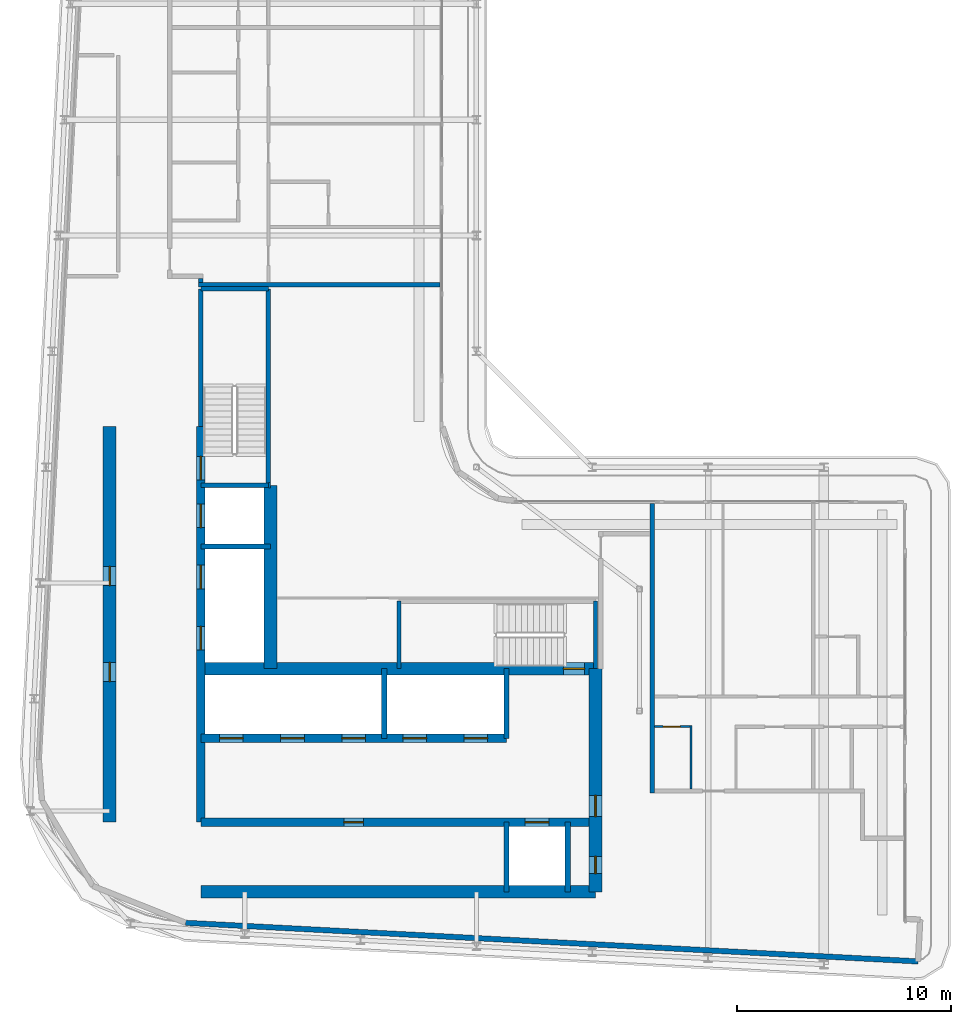
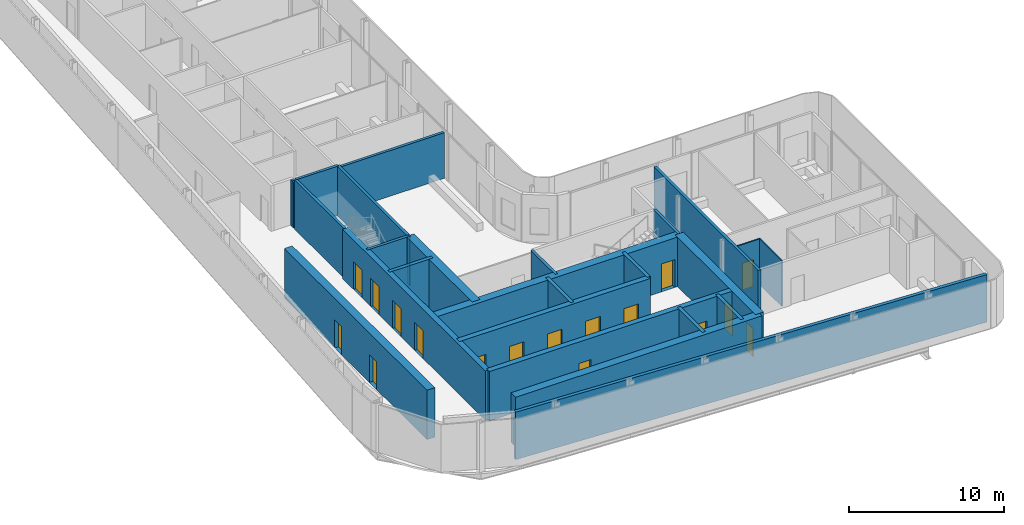
# One storey, part 11 of 21: 26 walls, 17 doors, 17 openings.
"""IFC4 building model written with IfcOpenShell, lengths in metres."""

import ifcopenshell
import ifcopenshell.guid

model = None  # the IFC model being written
_history = None  # IfcOwnerHistory: only IFC2X3 demands one
_inside = {}  # id of a spatial element -> (the spatial element, [elements in it])
_under = {}  # id of a project, library or spatial element -> (it, [spatial elements below it])
_declared = {}  # id of a project -> (the project, [libraries it declares])
_typed = {}  # id of a type object -> (the type object, [elements of that type])
_made_of = {}  # id of a material, layer set ... -> (it, [elements and type objects made of it])


def new_model(schema):
    """Start an empty IFC model of exactly this schema.

    Asked for "IFC4X3", IfcOpenShell would pick the latest addendum, in which some entities
    have other attributes; the version numbers below select the first issue.
    IFC2X3 requires an IfcOwnerHistory on every rooted entity: one is made here for all.
    """
    global model, _history
    if schema == "IFC4X3":
        model = ifcopenshell.file(schema_version=(4, 3, 0, 0))
    else:
        model = ifcopenshell.file(schema=schema)
    _inside.clear()
    _under.clear()
    _declared.clear()
    _typed.clear()
    _made_of.clear()
    _history = None
    if model.schema == "IFC2X3":
        org = make("IfcOrganization", Name="unknown")
        user = make(
            "IfcPersonAndOrganization",
            ThePerson=make("IfcPerson", FamilyName="unknown"),
            TheOrganization=org,
        )
        app = make(
            "IfcApplication",
            ApplicationDeveloper=org,
            Version="unknown",
            ApplicationFullName="unknown",
            ApplicationIdentifier="unknown",
        )
        _history = make(
            "IfcOwnerHistory",
            OwningUser=user,
            OwningApplication=app,
            ChangeAction="ADDED",
            CreationDate=0,
        )
    return model


def make(cls, **values):
    """One entity of the class cls with the attributes given. An attribute that is None is left unset."""
    return model.create_entity(
        cls, **{name: value for name, value in values.items() if value is not None}
    )


def rooted(cls, **values):
    """An entity with a GlobalId (a new one), such as an element, a storey or a relation."""
    return make(cls, GlobalId=ifcopenshell.guid.new(), OwnerHistory=_history, **values)


def si_unit(unit_type, name, prefix=None):
    """IfcSIUnit, for example si_unit("LENGTHUNIT", "METRE", prefix="MILLI")."""
    return make("IfcSIUnit", UnitType=unit_type, Prefix=prefix, Name=name)


def assignment(units):
    """IfcUnitAssignment: the units of a project."""
    return None if units is None else make("IfcUnitAssignment", Units=units)


def point(xyz):
    """IfcCartesianPoint."""
    return None if xyz is None else make("IfcCartesianPoint", Coordinates=xyz)


def direction(xyz):
    """IfcDirection."""
    return None if xyz is None else make("IfcDirection", DirectionRatios=xyz)


def frame(location, z_axis=None, x_axis=None):
    """IfcAxis2Placement3D, a coordinate frame: its origin and axes. An axis left out is left unset."""
    return make(
        "IfcAxis2Placement3D",
        Location=point(location),
        Axis=direction(z_axis),
        RefDirection=direction(x_axis),
    )


def frame_2d(location, x_axis=None):
    """IfcAxis2Placement2D, a coordinate frame in the plane: its origin and x axis."""
    return make(
        "IfcAxis2Placement2D", Location=point(location), RefDirection=direction(x_axis)
    )


def origin():
    """The frame at (0, 0, 0) with its axes left unset."""
    return frame((0.0, 0.0, 0.0))


def place(relative_to, where):
    """IfcLocalPlacement: puts the frame where relative to a parent placement (None: the world)."""
    return make(
        "IfcLocalPlacement", PlacementRelTo=relative_to, RelativePlacement=where
    )


def context(
    kind, dimensions, precision=None, world=None, true_north=None, identifier=None
):
    """IfcGeometricRepresentationContext, for example the 3D "Model" context."""
    return make(
        "IfcGeometricRepresentationContext",
        ContextIdentifier=identifier,
        ContextType=kind,
        CoordinateSpaceDimension=dimensions,
        Precision=precision,
        WorldCoordinateSystem=world,
        TrueNorth=true_north,
    )


def subcontext(parent, identifier, kind, view, scale=None):
    """IfcGeometricRepresentationSubContext, for example "Body" below "Model"."""
    return make(
        "IfcGeometricRepresentationSubContext",
        ContextIdentifier=identifier,
        ContextType=kind,
        ParentContext=parent,
        TargetScale=scale,
        TargetView=view,
    )


def project(units=None, contexts=None):
    """IfcProject with its units and contexts."""
    return rooted(
        "IfcProject",
        Name="project",
        RepresentationContexts=contexts,
        UnitsInContext=assignment(units),
    )


def spatial(cls, under=None, at=None, **own):
    """A site, building, storey or space (cls), placed at a placement, below another one or the project."""
    s = rooted(cls, ObjectPlacement=at, **own)
    if under is not None:
        _under.setdefault(under.id(), (under, []))[1].append(s)
    return s


def profile(cls, at=None, kind="AREA", **sizes):
    """A parametric profile (cls). Its sizes go by their IFC names, for example OverallWidth=200.0."""
    return make(cls, ProfileType=kind, Position=at, **sizes)


def rectangle(**sizes):
    """IfcRectangleProfileDef."""
    return profile("IfcRectangleProfileDef", **sizes)


def extrude(swept, where, along, depth):
    """IfcExtrudedAreaSolid: the profile swept, set in the frame where, extruded along a direction by depth."""
    return make(
        "IfcExtrudedAreaSolid",
        SweptArea=swept,
        Position=where,
        ExtrudedDirection=direction(along),
        Depth=depth,
    )


def shape(context_of_items, identifier, shape_type, items):
    """IfcShapeRepresentation: the items that make up one representation, for example the "Body"."""
    return make(
        "IfcShapeRepresentation",
        ContextOfItems=context_of_items,
        RepresentationIdentifier=identifier,
        RepresentationType=shape_type,
        Items=items,
    )


def source(mapping_origin, context_of_items, identifier, shape_type, items):
    """IfcRepresentationMap: a shape defined once, which mapped items show again and again."""
    return make(
        "IfcRepresentationMap",
        MappingOrigin=mapping_origin,
        MappedRepresentation=shape(context_of_items, identifier, shape_type, items),
    )


def transform(
    local_origin,
    x_axis=None,
    y_axis=None,
    z_axis=None,
    scale=None,
    scale2=None,
    scale3=None,
    uniform=True,
):
    """IfcCartesianTransformationOperator3D, or its non-uniform kind. x_axis, y_axis, z_axis: its Axis1, 2, 3."""
    if uniform:
        return make(
            "IfcCartesianTransformationOperator3D",
            Axis1=direction(x_axis),
            Axis2=direction(y_axis),
            LocalOrigin=point(local_origin),
            Scale=scale,
            Axis3=direction(z_axis),
        )
    return make(
        "IfcCartesianTransformationOperator3DnonUniform",
        Axis1=direction(x_axis),
        Axis2=direction(y_axis),
        LocalOrigin=point(local_origin),
        Scale=scale,
        Axis3=direction(z_axis),
        Scale2=scale2,
        Scale3=scale3,
    )


def mapped(mapping_source, mapping_target):
    """IfcMappedItem: shows the shape of a source again, moved by a transform."""
    return make(
        "IfcMappedItem", MappingSource=mapping_source, MappingTarget=mapping_target
    )


def material(Name=None, Category=None):
    """IfcMaterial."""
    return make("IfcMaterial", Name=Name, Category=Category)


def layer(
    of_material, thickness, ventilated=None, Name=None, Category=None, Priority=None
):
    """IfcMaterialLayer: one layer of a wall or slab, of a material (None: an air gap)."""
    return make(
        "IfcMaterialLayer",
        Material=of_material,
        LayerThickness=thickness,
        IsVentilated=ventilated,
        Name=Name,
        Category=Category,
        Priority=Priority,
    )


def layer_set(layers, Name=None):
    """IfcMaterialLayerSet."""
    return make("IfcMaterialLayerSet", MaterialLayers=layers, LayerSetName=Name)


def made_of(thing, what):
    """Note that an element or type object is made of a material, layer set ...; save() writes the relation."""
    if what is not None:
        _made_of.setdefault(what.id(), (what, []))[1].append(thing)
    return thing


def type_object(cls, material=None, **own):
    """A type object (cls), such as IfcWallType, which elements share."""
    return made_of(rooted(cls, **own), material)


def element(
    cls,
    number,
    at=None,
    inside=None,
    cuts=None,
    type_object=None,
    material=None,
    context=None,
    identifier="Body",
    shape_type=None,
    held_by="IfcProductDefinitionShape",
    body=None,
    shapes=None,
    **own,
):
    """One element of the class cls, such as IfcWall. Its Tag is "e" and its number.

    at: its placement. inside: the storey or other place that contains it. cuts: it is an
    opening in that element (IfcRelVoidsElement). A single representation is given by context,
    identifier, shape_type and body (its items); several are given by shapes. held_by: the class
    of the entity that holds the representations. save() writes the other relations.
    """
    e = rooted(cls, Tag="e%d" % number, ObjectPlacement=at, **own)
    if body is not None:
        shapes = [shape(context, identifier, shape_type, body)]
    if shapes is not None:
        e.Representation = make(held_by, Representations=shapes)
    if inside is not None:
        _inside.setdefault(inside.id(), (inside, []))[1].append(e)
    if cuts is not None:
        rooted(
            "IfcRelVoidsElement", RelatingBuildingElement=cuts, RelatedOpeningElement=e
        )
    if type_object is not None:
        _typed.setdefault(type_object.id(), (type_object, []))[1].append(e)
    return made_of(e, material)


def fill(opening, filler):
    """IfcRelFillsElement: the door or window that sits in an opening."""
    return rooted(
        "IfcRelFillsElement",
        RelatingOpeningElement=opening,
        RelatedBuildingElement=filler,
    )


def aggregate(whole, parts):
    """IfcRelAggregates: a whole, such as a stair, and the parts it consists of."""
    return rooted("IfcRelAggregates", RelatingObject=whole, RelatedObjects=parts)


def save(model, path):
    """Write the relations noted so far, then the file.

    IfcRelAggregates (storeys below a building ...), IfcRelContainedInSpatialStructure (elements
    in a storey), IfcRelDefinesByType, IfcRelAssociatesMaterial and IfcRelDeclares: one each for
    every whole, place, type object, material and project.
    """
    for whole, parts in _under.values():
        aggregate(whole, parts)
    for where, things in _inside.values():
        rooted(
            "IfcRelContainedInSpatialStructure",
            RelatedElements=things,
            RelatingStructure=where,
        )
    for kind, things in _typed.values():
        rooted("IfcRelDefinesByType", RelatedObjects=things, RelatingType=kind)
    for what, things in _made_of.values():
        rooted("IfcRelAssociatesMaterial", RelatedObjects=things, RelatingMaterial=what)
    for by, libraries in _declared.values():
        rooted("IfcRelDeclares", RelatingContext=by, RelatedDefinitions=libraries)
    model.write(path)


model = new_model("IFC4")

# Units and contexts
model_context = context("Model", 3, precision=1e-05, world=origin(), true_north=direction((0.0, 1.0)))
body_context = subcontext(model_context, "Body", "Model", "MODEL_VIEW")
ifc_project = project(units=[si_unit("LENGTHUNIT", "METRE"), si_unit("AREAUNIT", "SQUARE_METRE"), si_unit("VOLUMEUNIT", "CUBIC_METRE"), si_unit("PLANEANGLEUNIT", "RADIAN"), si_unit("MASSUNIT", "GRAM", prefix="KILO")], contexts=[model_context])

# Site, building, storey
site_placement = place(None, origin())
site = spatial("IfcSite", under=ifc_project, at=site_placement, CompositionType="ELEMENT")
building_placement = place(site_placement, origin())
building = spatial("IfcBuilding", under=site, at=building_placement, Name="Kheshtan School and Residences Tower", CompositionType="ELEMENT")
storey_placement = place(building_placement, frame((0.0, 0.0, 298.10009765625)))
storey = spatial("IfcBuildingStorey", under=building, at=storey_placement, Name="L70", CompositionType="ELEMENT", Elevation=298.10009765625)

# Wall, openings, doors
ifc_material_1 = material(Name="Concrete C50/60", Category="concrete")
ifc_layer_1 = layer(ifc_material_1, 0.39990234375)
ifc_layer_set_1 = layer_set([ifc_layer_1], Name="Core wall 400 Concrete C50/60")
wall_type_1 = type_object("IfcWallType", Name="Core wall 400 Concrete C50/60", PredefinedType="SHEAR", material=ifc_layer_set_1)
wall_1_placement = place(storey_placement, frame((34.75, 29.050048828125, 0.0), z_axis=(0.0, 0.0, 1.0), x_axis=(1.0, 0.0, 0.0)))
wall_1 = element("IfcWall", 1, at=wall_1_placement, inside=storey, type_object=wall_type_1, Name="Core wall CW-HALL-S1", PredefinedType="SHEAR", context=body_context, shape_type="SweptSolid", body=[
    extrude(rectangle(XDim=18.39990234375, YDim=0.39990234375, at=frame_2d((9.199951171875, 0.0))), origin(), (0.0, 0.0, 1.0), 3.89990234375),
])
opening_1_placement = place(wall_1_placement, frame((15.125, 0.0, 0.0)))
opening_1 = element("IfcOpeningElement", 2, at=opening_1_placement, cuts=wall_1, Name="Opening LD", PredefinedType="OPENING", context=body_context, shape_type="SweptSolid", body=[
    extrude(rectangle(XDim=1.10009765625, YDim=2.199951171875, at=frame_2d((0.550048828125, 1.10009765625))), frame((0.0, 0.2099609375, 0.0), z_axis=(0.0, -1.0, 0.0), x_axis=(1.0, 0.0, 0.0)), (0.0, 0.0, 1.0), 0.419921875),
])
opening_2_placement = place(wall_1_placement, frame((6.675048828125, 0.0, 0.0)))
opening_2 = element("IfcOpeningElement", 3, at=opening_2_placement, cuts=wall_1, Name="Opening SR90", PredefinedType="OPENING", context=body_context, shape_type="SweptSolid", body=[
    extrude(rectangle(XDim=0.89990234375, YDim=2.199951171875, at=frame_2d((0.449951171875, 1.10009765625))), frame((0.0, 0.2099609375, 0.0), z_axis=(0.0, -1.0, 0.0), x_axis=(1.0, 0.0, 0.0)), (0.0, 0.0, 1.0), 0.419921875),
])
ifc_material_2 = material(Name="Stainless steel door leaves", Category="steel")
door_type_1 = type_object("IfcDoorType", Name="Lift landing door 1100", OperationType="SLIDING_TO_LEFT", PredefinedType="DOOR", material=ifc_material_2)
shared_shape_1 = source(origin(), body_context, "Body", "SweptSolid", [
    extrude(rectangle(XDim=1.10009765625, YDim=2.199951171875, at=frame_2d((0.550048828125, 1.10009765625))), frame((0.0, 0.02490234375, 0.0), z_axis=(0.0, -1.0, 0.0), x_axis=(1.0, 0.0, 0.0)), (0.0, 0.0, 1.0), 0.050048828125),
])
door_1_placement = place(opening_1_placement, origin())
door_1 = element("IfcDoor", 4, at=door_1_placement, inside=storey, type_object=door_type_1, Name="Lift FFL2 landing door", OperationType="SLIDING_TO_LEFT", OverallHeight=2.199951171875, OverallWidth=1.10009765625, PredefinedType="DOOR", context=body_context, shape_type="MappedRepresentation", body=[
    mapped(shared_shape_1, transform((0.0, 0.0, 0.0), x_axis=(1.0, 0.0, 0.0), y_axis=(0.0, 1.0, 0.0), z_axis=(0.0, 0.0, 1.0), scale=1.0)),
])
fill(opening_1, door_1)
ifc_material_3 = material(Name="Steel door leaf, galvanised", Category="steel")
door_type_2 = type_object("IfcDoorType", Name="Service room door 900 steel 90 min", OperationType="SINGLE_SWING_LEFT", PredefinedType="DOOR", material=ifc_material_3)
shared_shape_2 = source(origin(), body_context, "Body", "SweptSolid", [
    extrude(rectangle(XDim=0.89990234375, YDim=2.199951171875, at=frame_2d((0.449951171875, 1.10009765625))), frame((0.0, 0.02490234375, 0.0), z_axis=(0.0, -1.0, 0.0), x_axis=(1.0, 0.0, 0.0)), (0.0, 0.0, 1.0), 0.050048828125),
])
door_2_placement = place(opening_2_placement, origin())
door_2 = element("IfcDoor", 5, at=door_2_placement, inside=storey, type_object=door_type_2, Name="Service room door", OperationType="SINGLE_SWING_RIGHT", OverallHeight=2.199951171875, OverallWidth=0.89990234375, PredefinedType="DOOR", context=body_context, shape_type="MappedRepresentation", body=[
    mapped(shared_shape_2, transform((0.0, 0.0, 0.0), x_axis=(1.0, 0.0, 0.0), y_axis=(0.0, 1.0, 0.0), z_axis=(0.0, 0.0, 1.0), scale=1.0)),
])
fill(opening_2, door_2)

wall_2_placement = place(storey_placement, frame((34.75, 32.949951171875, 0.0), z_axis=(0.0, 0.0, 1.0), x_axis=(1.0, 0.0, 0.0)))
wall_2 = element("IfcWall", 6, at=wall_2_placement, inside=storey, type_object=wall_type_1, Name="Core wall CW-HALL-S2", PredefinedType="SHEAR", context=body_context, shape_type="SweptSolid", body=[
    extrude(rectangle(XDim=14.25, YDim=0.39990234375, at=frame_2d((7.125, 0.0))), origin(), (0.0, 0.0, 1.0), 3.89990234375),
])
opening_3_placement = place(wall_2_placement, frame((0.875, 0.0, 0.0)))
opening_3 = element("IfcOpeningElement", 7, at=opening_3_placement, cuts=wall_2, Name="Opening LD", PredefinedType="OPENING", context=body_context, shape_type="SweptSolid", body=[
    extrude(rectangle(XDim=1.10009765625, YDim=2.199951171875, at=frame_2d((0.550048828125, 1.10009765625))), frame((0.0, 0.2099609375, 0.0), z_axis=(0.0, -1.0, 0.0), x_axis=(1.0, 0.0, 0.0)), (0.0, 0.0, 1.0), 0.419921875),
])
opening_4_placement = place(wall_2_placement, frame((3.72509765625, 0.0, 0.0)))
opening_4 = element("IfcOpeningElement", 8, at=opening_4_placement, cuts=wall_2, Name="Opening LD", PredefinedType="OPENING", context=body_context, shape_type="SweptSolid", body=[
    extrude(rectangle(XDim=1.10009765625, YDim=2.199951171875, at=frame_2d((0.550048828125, 1.10009765625))), frame((0.0, 0.2099609375, 0.0), z_axis=(0.0, -1.0, 0.0), x_axis=(1.0, 0.0, 0.0)), (0.0, 0.0, 1.0), 0.419921875),
])
opening_5_placement = place(wall_2_placement, frame((6.574951171875, 0.0, 0.0)))
opening_5 = element("IfcOpeningElement", 9, at=opening_5_placement, cuts=wall_2, Name="Opening LD", PredefinedType="OPENING", context=body_context, shape_type="SweptSolid", body=[
    extrude(rectangle(XDim=1.10009765625, YDim=2.199951171875, at=frame_2d((0.550048828125, 1.10009765625))), frame((0.0, 0.2099609375, 0.0), z_axis=(0.0, -1.0, 0.0), x_axis=(1.0, 0.0, 0.0)), (0.0, 0.0, 1.0), 0.419921875),
])
opening_6_placement = place(wall_2_placement, frame((9.425048828125, 0.0, 0.0)))
opening_6 = element("IfcOpeningElement", 10, at=opening_6_placement, cuts=wall_2, Name="Opening LD", PredefinedType="OPENING", context=body_context, shape_type="SweptSolid", body=[
    extrude(rectangle(XDim=1.10009765625, YDim=2.199951171875, at=frame_2d((0.550048828125, 1.10009765625))), frame((0.0, 0.2099609375, 0.0), z_axis=(0.0, -1.0, 0.0), x_axis=(1.0, 0.0, 0.0)), (0.0, 0.0, 1.0), 0.419921875),
])
opening_7_placement = place(wall_2_placement, frame((12.27490234375, 0.0, 0.0)))
opening_7 = element("IfcOpeningElement", 11, at=opening_7_placement, cuts=wall_2, Name="Opening LD", PredefinedType="OPENING", context=body_context, shape_type="SweptSolid", body=[
    extrude(rectangle(XDim=1.10009765625, YDim=2.199951171875, at=frame_2d((0.550048828125, 1.10009765625))), frame((0.0, 0.2099609375, 0.0), z_axis=(0.0, -1.0, 0.0), x_axis=(1.0, 0.0, 0.0)), (0.0, 0.0, 1.0), 0.419921875),
])
door_3_placement = place(opening_3_placement, origin())
door_3 = element("IfcDoor", 12, at=door_3_placement, inside=storey, type_object=door_type_1, Name="Lift P12 landing door", OperationType="SLIDING_TO_LEFT", OverallHeight=2.199951171875, OverallWidth=1.10009765625, PredefinedType="DOOR", context=body_context, shape_type="MappedRepresentation", body=[
    mapped(shared_shape_1, transform((0.0, 0.0, 0.0), x_axis=(1.0, 0.0, 0.0), y_axis=(0.0, 1.0, 0.0), z_axis=(0.0, 0.0, 1.0), scale=1.0)),
])
fill(opening_3, door_3)
door_4_placement = place(opening_4_placement, origin())
door_4 = element("IfcDoor", 13, at=door_4_placement, inside=storey, type_object=door_type_1, Name="Lift P13 landing door", OperationType="SLIDING_TO_LEFT", OverallHeight=2.199951171875, OverallWidth=1.10009765625, PredefinedType="DOOR", context=body_context, shape_type="MappedRepresentation", body=[
    mapped(shared_shape_1, transform((0.0, 0.0, 0.0), x_axis=(1.0, 0.0, 0.0), y_axis=(0.0, 1.0, 0.0), z_axis=(0.0, 0.0, 1.0), scale=1.0)),
])
fill(opening_4, door_4)
door_5_placement = place(opening_5_placement, origin())
door_5 = element("IfcDoor", 14, at=door_5_placement, inside=storey, type_object=door_type_1, Name="Lift P14 landing door", OperationType="SLIDING_TO_LEFT", OverallHeight=2.199951171875, OverallWidth=1.10009765625, PredefinedType="DOOR", context=body_context, shape_type="MappedRepresentation", body=[
    mapped(shared_shape_1, transform((0.0, 0.0, 0.0), x_axis=(1.0, 0.0, 0.0), y_axis=(0.0, 1.0, 0.0), z_axis=(0.0, 0.0, 1.0), scale=1.0)),
])
fill(opening_5, door_5)
door_6_placement = place(opening_6_placement, origin())
door_6 = element("IfcDoor", 15, at=door_6_placement, inside=storey, type_object=door_type_1, Name="Lift P15 landing door", OperationType="SLIDING_TO_LEFT", OverallHeight=2.199951171875, OverallWidth=1.10009765625, PredefinedType="DOOR", context=body_context, shape_type="MappedRepresentation", body=[
    mapped(shared_shape_1, transform((0.0, 0.0, 0.0), x_axis=(1.0, 0.0, 0.0), y_axis=(0.0, 1.0, 0.0), z_axis=(0.0, 0.0, 1.0), scale=1.0)),
])
fill(opening_6, door_6)
door_7_placement = place(opening_7_placement, origin())
door_7 = element("IfcDoor", 16, at=door_7_placement, inside=storey, type_object=door_type_1, Name="Lift P16 landing door", OperationType="SLIDING_TO_LEFT", OverallHeight=2.199951171875, OverallWidth=1.10009765625, PredefinedType="DOOR", context=body_context, shape_type="MappedRepresentation", body=[
    mapped(shared_shape_1, transform((0.0, 0.0, 0.0), x_axis=(1.0, 0.0, 0.0), y_axis=(0.0, 1.0, 0.0), z_axis=(0.0, 0.0, 1.0), scale=1.0)),
])
fill(opening_7, door_7)

wall_3_placement = place(storey_placement, frame((34.75, 29.050048828125, 0.0), z_axis=(0.0, 0.0, 1.0), x_axis=(0.0, 1.0, 0.0)))
wall_3 = element("IfcWall", 17, at=wall_3_placement, inside=storey, type_object=wall_type_1, Name="Core wall CW-HALL-W1", PredefinedType="SHEAR", context=body_context, shape_type="SweptSolid", body=[
    extrude(rectangle(XDim=18.449951171875, YDim=0.39990234375, at=frame_2d((9.22509765625, 0.0))), origin(), (0.0, 0.0, 1.0), 3.89990234375),
])
opening_8_placement = place(wall_3_placement, frame((8.02490234375, 0.0, 0.0)))
opening_8 = element("IfcOpeningElement", 18, at=opening_8_placement, cuts=wall_3, Name="Opening LD", PredefinedType="OPENING", context=body_context, shape_type="SweptSolid", body=[
    extrude(rectangle(XDim=1.10009765625, YDim=2.199951171875, at=frame_2d((0.550048828125, 1.10009765625))), frame((0.0, 0.2099609375, 0.0), z_axis=(0.0, -1.0, 0.0), x_axis=(1.0, 0.0, 0.0)), (0.0, 0.0, 1.0), 0.419921875),
])
opening_9_placement = place(wall_3_placement, frame((10.875, 0.0, 0.0)))
opening_9 = element("IfcOpeningElement", 19, at=opening_9_placement, cuts=wall_3, Name="Opening LD", PredefinedType="OPENING", context=body_context, shape_type="SweptSolid", body=[
    extrude(rectangle(XDim=1.10009765625, YDim=2.199951171875, at=frame_2d((0.550048828125, 1.10009765625))), frame((0.0, 0.2099609375, 0.0), z_axis=(0.0, -1.0, 0.0), x_axis=(1.0, 0.0, 0.0)), (0.0, 0.0, 1.0), 0.419921875),
])
opening_10_placement = place(wall_3_placement, frame((13.72509765625, 0.0, 0.0)))
opening_10 = element("IfcOpeningElement", 20, at=opening_10_placement, cuts=wall_3, Name="Opening LD", PredefinedType="OPENING", context=body_context, shape_type="SweptSolid", body=[
    extrude(rectangle(XDim=1.10009765625, YDim=2.199951171875, at=frame_2d((0.550048828125, 1.10009765625))), frame((0.0, 0.2099609375, 0.0), z_axis=(0.0, -1.0, 0.0), x_axis=(1.0, 0.0, 0.0)), (0.0, 0.0, 1.0), 0.419921875),
])
opening_11_placement = place(wall_3_placement, frame((15.949951171875, 0.0, 0.0)))
opening_11 = element("IfcOpeningElement", 21, at=opening_11_placement, cuts=wall_3, Name="Opening ST2D", PredefinedType="OPENING", context=body_context, shape_type="SweptSolid", body=[
    extrude(rectangle(XDim=1.10009765625, YDim=2.199951171875, at=frame_2d((0.550048828125, 1.10009765625))), frame((0.0, 0.2099609375, 0.0), z_axis=(0.0, -1.0, 0.0), x_axis=(1.0, 0.0, 0.0)), (0.0, 0.0, 1.0), 0.419921875),
])
door_8_placement = place(opening_8_placement, origin())
door_8 = element("IfcDoor", 22, at=door_8_placement, inside=storey, type_object=door_type_1, Name="Lift SV1 landing door", OperationType="SLIDING_TO_LEFT", OverallHeight=2.199951171875, OverallWidth=1.10009765625, PredefinedType="DOOR", context=body_context, shape_type="MappedRepresentation", body=[
    mapped(shared_shape_1, transform((0.0, 0.0, 0.0), x_axis=(1.0, 0.0, 0.0), y_axis=(0.0, 1.0, 0.0), z_axis=(0.0, 0.0, 1.0), scale=1.0)),
])
fill(opening_8, door_8)
door_9_placement = place(opening_9_placement, origin())
door_9 = element("IfcDoor", 23, at=door_9_placement, inside=storey, type_object=door_type_1, Name="Lift SV2 landing door", OperationType="SLIDING_TO_LEFT", OverallHeight=2.199951171875, OverallWidth=1.10009765625, PredefinedType="DOOR", context=body_context, shape_type="MappedRepresentation", body=[
    mapped(shared_shape_1, transform((0.0, 0.0, 0.0), x_axis=(1.0, 0.0, 0.0), y_axis=(0.0, 1.0, 0.0), z_axis=(0.0, 0.0, 1.0), scale=1.0)),
])
fill(opening_9, door_9)
door_10_placement = place(opening_10_placement, origin())
door_10 = element("IfcDoor", 24, at=door_10_placement, inside=storey, type_object=door_type_1, Name="Lift FFL1 landing door", OperationType="SLIDING_TO_LEFT", OverallHeight=2.199951171875, OverallWidth=1.10009765625, PredefinedType="DOOR", context=body_context, shape_type="MappedRepresentation", body=[
    mapped(shared_shape_1, transform((0.0, 0.0, 0.0), x_axis=(1.0, 0.0, 0.0), y_axis=(0.0, 1.0, 0.0), z_axis=(0.0, 0.0, 1.0), scale=1.0)),
])
fill(opening_10, door_10)
door_type_3 = type_object("IfcDoorType", Name="Stair door 1100 steel 90 min", OperationType="SINGLE_SWING_LEFT", PredefinedType="DOOR", material=ifc_material_3)
shared_shape_3 = source(origin(), body_context, "Body", "SweptSolid", [
    extrude(rectangle(XDim=1.10009765625, YDim=2.199951171875, at=frame_2d((0.550048828125, 1.10009765625))), frame((0.0, 0.02490234375, 0.0), z_axis=(0.0, -1.0, 0.0), x_axis=(1.0, 0.0, 0.0)), (0.0, 0.0, 1.0), 0.050048828125),
])
door_11_placement = place(opening_11_placement, origin())
door_11 = element("IfcDoor", 25, at=door_11_placement, inside=storey, type_object=door_type_3, Name="Stair ST2 door", OperationType="SINGLE_SWING_RIGHT", OverallHeight=2.199951171875, OverallWidth=1.10009765625, PredefinedType="DOOR", context=body_context, shape_type="MappedRepresentation", body=[
    mapped(shared_shape_3, transform((0.0, 0.0, 0.0), x_axis=(1.0, 0.0, 0.0), y_axis=(0.0, 1.0, 0.0), z_axis=(0.0, 0.0, 1.0), scale=1.0)),
])
fill(opening_11, door_11)

# Wall
ifc_material_4 = material(Name="Concrete C60/75", Category="concrete")
ifc_layer_2 = layer(ifc_material_4, 0.60009765625)
ifc_layer_set_2 = layer_set([ifc_layer_2], Name="Core wall 600 Concrete C60/75")
wall_type_2 = type_object("IfcWallType", Name="Core wall 600 Concrete C60/75", PredefinedType="SHEAR", material=ifc_layer_set_2)
wall_4_placement = place(storey_placement, frame((34.75, 25.800048828125, 0.0), z_axis=(0.0, 0.0, 1.0), x_axis=(1.0, 0.0, 0.0)))
element("IfcWall", 26, at=wall_4_placement, inside=storey, type_object=wall_type_2, Name="Core wall CW-REAR-S", PredefinedType="SHEAR", context=body_context, shape_type="SweptSolid", body=[
    extrude(rectangle(XDim=18.39990234375, YDim=0.60009765625, at=frame_2d((9.199951171875, 0.0))), origin(), (0.0, 0.0, 1.0), 3.89990234375),
])

# Wall, opening, door
wall_5_placement = place(storey_placement, frame((34.75, 36.199951171875, 0.0), z_axis=(0.0, 0.0, 1.0), x_axis=(1.0, 0.0, 0.0)))
wall_5 = element("IfcWall", 27, at=wall_5_placement, inside=storey, type_object=wall_type_2, Name="Core wall CW-FRONT-S", PredefinedType="SHEAR", context=body_context, shape_type="SweptSolid", body=[
    extrude(rectangle(XDim=18.39990234375, YDim=0.60009765625, at=frame_2d((9.199951171875, 0.0))), origin(), (0.0, 0.0, 1.0), 3.89990234375),
])
opening_12_placement = place(wall_5_placement, frame((16.89990234375, 0.0, 0.0)))
opening_12 = element("IfcOpeningElement", 28, at=opening_12_placement, cuts=wall_5, Name="Opening ST1D", PredefinedType="OPENING", context=body_context, shape_type="SweptSolid", body=[
    extrude(rectangle(XDim=1.0, YDim=2.199951171875, at=frame_2d((0.5, 1.10009765625))), frame((0.0, 0.31005859375, 0.0), z_axis=(0.0, -1.0, 0.0), x_axis=(1.0, 0.0, 0.0)), (0.0, 0.0, 1.0), 0.6201171875),
])
shared_shape_4 = source(origin(), body_context, "Body", "SweptSolid", [
    extrude(rectangle(XDim=1.0, YDim=2.199951171875, at=frame_2d((0.5, 1.10009765625))), frame((0.0, 0.02490234375, 0.0), z_axis=(0.0, -1.0, 0.0), x_axis=(1.0, 0.0, 0.0)), (0.0, 0.0, 1.0), 0.050048828125),
])
door_12_placement = place(opening_12_placement, origin())
door_12 = element("IfcDoor", 29, at=door_12_placement, inside=storey, type_object=door_type_3, Name="Stair ST1 door", OperationType="SINGLE_SWING_RIGHT", OverallHeight=2.199951171875, OverallWidth=1.0, PredefinedType="DOOR", context=body_context, shape_type="MappedRepresentation", body=[
    mapped(shared_shape_4, transform((0.0, 0.0, 0.0), x_axis=(1.0, 0.0, 0.0), y_axis=(0.0, 1.0, 0.0), z_axis=(0.0, 0.0, 1.0), scale=1.0)),
])
fill(opening_12, door_12)

# Wall
wall_6_placement = place(storey_placement, frame((38.0, 36.199951171875, 0.0), z_axis=(0.0, 0.0, 1.0), x_axis=(0.0, 1.0, 0.0)))
element("IfcWall", 30, at=wall_6_placement, inside=storey, type_object=wall_type_2, Name="Core wall CW-FRONT-W", PredefinedType="SHEAR", context=body_context, shape_type="SweptSolid", body=[
    extrude(rectangle(XDim=8.550048828125, YDim=0.60009765625, at=frame_2d((4.27490234375, 0.0))), origin(), (0.0, 0.0, 1.0), 3.89990234375),
])

# Wall, openings, doors
wall_7_placement = place(storey_placement, frame((30.5, 29.050048828125, 0.0), z_axis=(0.0, 0.0, 1.0), x_axis=(0.0, 1.0, 0.0)))
wall_7 = element("IfcWall", 31, at=wall_7_placement, inside=storey, type_object=wall_type_2, Name="Core wall CW-REAR-W", PredefinedType="SHEAR", context=body_context, shape_type="SweptSolid", body=[
    extrude(rectangle(XDim=18.449951171875, YDim=0.60009765625, at=frame_2d((9.22509765625, 0.0))), origin(), (0.0, 0.0, 1.0), 3.89990234375),
])
opening_13_placement = place(wall_7_placement, frame((6.550048828125, 0.0, 0.0)))
opening_13 = element("IfcOpeningElement", 32, at=opening_13_placement, cuts=wall_7, Name="Opening SR90", PredefinedType="OPENING", context=body_context, shape_type="SweptSolid", body=[
    extrude(rectangle(XDim=0.89990234375, YDim=2.199951171875, at=frame_2d((0.449951171875, 1.10009765625))), frame((0.0, 0.31005859375, 0.0), z_axis=(0.0, -1.0, 0.0), x_axis=(1.0, 0.0, 0.0)), (0.0, 0.0, 1.0), 0.6201171875),
])
opening_14_placement = place(wall_7_placement, frame((11.02490234375, 0.0, 0.0)))
opening_14 = element("IfcOpeningElement", 33, at=opening_14_placement, cuts=wall_7, Name="Opening SR90", PredefinedType="OPENING", context=body_context, shape_type="SweptSolid", body=[
    extrude(rectangle(XDim=0.89990234375, YDim=2.199951171875, at=frame_2d((0.449951171875, 1.10009765625))), frame((0.0, 0.31005859375, 0.0), z_axis=(0.0, -1.0, 0.0), x_axis=(1.0, 0.0, 0.0)), (0.0, 0.0, 1.0), 0.6201171875),
])
door_13_placement = place(opening_13_placement, origin())
door_13 = element("IfcDoor", 34, at=door_13_placement, inside=storey, type_object=door_type_2, Name="Service room door", OperationType="SINGLE_SWING_RIGHT", OverallHeight=2.199951171875, OverallWidth=0.89990234375, PredefinedType="DOOR", context=body_context, shape_type="MappedRepresentation", body=[
    mapped(shared_shape_2, transform((0.0, 0.0, 0.0), x_axis=(1.0, 0.0, 0.0), y_axis=(0.0, 1.0, 0.0), z_axis=(0.0, 0.0, 1.0), scale=1.0)),
])
fill(opening_13, door_13)
door_14_placement = place(opening_14_placement, origin())
door_14 = element("IfcDoor", 35, at=door_14_placement, inside=storey, type_object=door_type_2, Name="Service room door", OperationType="SINGLE_SWING_RIGHT", OverallHeight=2.199951171875, OverallWidth=0.89990234375, PredefinedType="DOOR", context=body_context, shape_type="MappedRepresentation", body=[
    mapped(shared_shape_2, transform((0.0, 0.0, 0.0), x_axis=(1.0, 0.0, 0.0), y_axis=(0.0, 1.0, 0.0), z_axis=(0.0, 0.0, 1.0), scale=1.0)),
])
fill(opening_14, door_14)

wall_8_placement = place(storey_placement, frame((53.14990234375, 25.800048828125, 0.0), z_axis=(0.0, 0.0, 1.0), x_axis=(0.0, 1.0, 0.0)))
wall_8 = element("IfcWall", 36, at=wall_8_placement, inside=storey, type_object=wall_type_2, Name="Core wall CW-EAST", PredefinedType="SHEAR", context=body_context, shape_type="SweptSolid", body=[
    extrude(rectangle(XDim=10.39990234375, YDim=0.60009765625, at=frame_2d((5.199951171875, 0.0))), origin(), (0.0, 0.0, 1.0), 3.89990234375),
])
opening_15_placement = place(wall_8_placement, frame((0.85009765625, 0.0, 0.0)))
opening_15 = element("IfcOpeningElement", 37, at=opening_15_placement, cuts=wall_8, Name="Opening SR80", PredefinedType="OPENING", context=body_context, shape_type="SweptSolid", body=[
    extrude(rectangle(XDim=0.800048828125, YDim=2.199951171875, at=frame_2d((0.39990234375, 1.10009765625))), frame((0.0, 0.31005859375, 0.0), z_axis=(0.0, -1.0, 0.0), x_axis=(1.0, 0.0, 0.0)), (0.0, 0.0, 1.0), 0.6201171875),
])
opening_16_placement = place(wall_8_placement, frame((3.5, 0.0, 0.0)))
opening_16 = element("IfcOpeningElement", 38, at=opening_16_placement, cuts=wall_8, Name="Opening SD91", PredefinedType="OPENING", context=body_context, shape_type="SweptSolid", body=[
    extrude(rectangle(XDim=1.0, YDim=2.199951171875, at=frame_2d((0.5, 1.10009765625))), frame((0.0, 0.31005859375, 0.0), z_axis=(0.0, -1.0, 0.0), x_axis=(1.0, 0.0, 0.0)), (0.0, 0.0, 1.0), 0.6201171875),
])
door_type_4 = type_object("IfcDoorType", Name="Service room door 800 steel 90 min", OperationType="SINGLE_SWING_LEFT", PredefinedType="DOOR", material=ifc_material_3)
shared_shape_5 = source(origin(), body_context, "Body", "SweptSolid", [
    extrude(rectangle(XDim=0.800048828125, YDim=2.199951171875, at=frame_2d((0.39990234375, 1.10009765625))), frame((0.0, 0.02490234375, 0.0), z_axis=(0.0, -1.0, 0.0), x_axis=(1.0, 0.0, 0.0)), (0.0, 0.0, 1.0), 0.050048828125),
])
door_15_placement = place(opening_15_placement, origin())
door_15 = element("IfcDoor", 39, at=door_15_placement, inside=storey, type_object=door_type_4, Name="Service room door", OperationType="SINGLE_SWING_LEFT", OverallHeight=2.199951171875, OverallWidth=0.800048828125, PredefinedType="DOOR", context=body_context, shape_type="MappedRepresentation", body=[
    mapped(shared_shape_5, transform((0.0, 0.0, 0.0), x_axis=(1.0, 0.0, 0.0), y_axis=(0.0, 1.0, 0.0), z_axis=(0.0, 0.0, 1.0), scale=1.0)),
])
fill(opening_15, door_15)
door_type_5 = type_object("IfcDoorType", Name="Firefighting lobby door 1000 steel 90 min", OperationType="SINGLE_SWING_LEFT", PredefinedType="DOOR", material=ifc_material_3)
shared_shape_6 = source(origin(), body_context, "Body", "SweptSolid", [
    extrude(rectangle(XDim=1.0, YDim=2.199951171875, at=frame_2d((0.5, 1.10009765625))), frame((0.0, 0.02490234375, 0.0), z_axis=(0.0, -1.0, 0.0), x_axis=(1.0, 0.0, 0.0)), (0.0, 0.0, 1.0), 0.050048828125),
])
door_16_placement = place(opening_16_placement, origin())
door_16 = element("IfcDoor", 40, at=door_16_placement, inside=storey, type_object=door_type_5, Name="Firefighting lobby door", OperationType="SINGLE_SWING_LEFT", OverallHeight=2.199951171875, OverallWidth=1.0, PredefinedType="DOOR", context=body_context, shape_type="MappedRepresentation", body=[
    mapped(shared_shape_6, transform((0.0, 0.0, 0.0), x_axis=(1.0, 0.0, 0.0), y_axis=(0.0, 1.0, 0.0), z_axis=(0.0, 0.0, 1.0), scale=1.0)),
])
fill(opening_16, door_16)

# Walls
ifc_material_5 = material(Name="Gypsum board on steel studs with fire boards", Category="steel")
ifc_layer_3 = layer(ifc_material_5, 0.199951171875)
ifc_layer_set_3 = layer_set([ifc_layer_3], Name="Corridor wall 200")
wall_type_3 = type_object("IfcWallType", Name="Corridor wall 200", PredefinedType="PARTITIONING", material=ifc_layer_set_3)
wall_9_placement = place(storey_placement, frame((34.75, 54.199951171875, 0.0), z_axis=(0.0, 0.0, 1.0), x_axis=(0.0, 1.0, 0.0)))
element("IfcWall", 41, at=wall_9_placement, inside=storey, type_object=wall_type_3, Name="Partition L70-017", PredefinedType="PARTITIONING", context=body_context, shape_type="SweptSolid", body=[
    extrude(rectangle(XDim=0.199951171875, YDim=0.199951171875, at=frame_2d((0.10009765625, 0.0))), origin(), (0.0, 0.0, 1.0), 3.599853515625),
])
ifc_material_6 = material(Name="Concrete C40/50 with ceramic cladding and mineral wool insulation", Category="concrete")
ifc_layer_4 = layer(ifc_material_6, 0.25)
ifc_layer_set_4 = layer_set([ifc_layer_4], Name="External wall 250 ceramic clad")
wall_type_4 = type_object("IfcWallType", Name="External wall 250 ceramic clad", PredefinedType="SOLIDWALL", material=ifc_layer_set_4)
wall_10_placement = place(storey_placement, frame((68.18603515625, 22.554931640625, 0.0), z_axis=(0.0, 0.0, 1.0), x_axis=(-0.998616468095, 0.052584690257, 0.0)))
element("IfcWall", 42, at=wall_10_placement, inside=storey, type_object=wall_type_4, Name="External wall L70 16", PredefinedType="SOLIDWALL", context=body_context, shape_type="SweptSolid", body=[
    extrude(rectangle(XDim=34.1943359375, YDim=0.25, at=frame_2d((17.09716796875, 0.0))), origin(), (0.0, 0.0, 1.0), 3.75),
])

# Wall, opening, door
ifc_material_7 = material(Name="Gypsum board on steel studs", Category="steel")
ifc_layer_5 = layer(ifc_material_7, 0.10009765625)
ifc_layer_set_5 = layer_set([ifc_layer_5], Name="Gypsum partition 100")
wall_type_5 = type_object("IfcWallType", Name="Gypsum partition 100", PredefinedType="PARTITIONING", material=ifc_layer_set_5)
wall_11_placement = place(storey_placement, frame((55.89990234375, 33.5, 0.0), z_axis=(0.0, 0.0, 1.0), x_axis=(1.0, 0.0, 0.0)))
wall_11 = element("IfcWall", 43, at=wall_11_placement, inside=storey, type_object=wall_type_5, Name="Partition L70-044", PredefinedType="PARTITIONING", context=body_context, shape_type="SweptSolid", body=[
    extrude(rectangle(XDim=1.650146484375, YDim=0.10009765625, at=frame_2d((0.8251953125, 0.0))), origin(), (0.0, 0.0, 1.0), 3.599853515625),
])
opening_17_placement = place(wall_11_placement, frame((0.39990234375, 0.0, 0.0)))
opening_17 = element("IfcOpeningElement", 44, at=opening_17_placement, cuts=wall_11, Name="Opening D70-008", PredefinedType="OPENING", context=body_context, shape_type="SweptSolid", body=[
    extrude(rectangle(XDim=0.800048828125, YDim=2.10009765625, at=frame_2d((0.39990234375, 1.050048828125))), frame((0.0, 0.06005859375, 0.0), z_axis=(0.0, -1.0, 0.0), x_axis=(1.0, 0.0, 0.0)), (0.0, 0.0, 1.0), 0.1201171875),
])
ifc_material_8 = material(Name="Veneered timber door leaf", Category="wood")
door_type_6 = type_object("IfcDoorType", Name="Door 800 x 2100", OperationType="SINGLE_SWING_LEFT", PredefinedType="DOOR", material=ifc_material_8)
shared_shape_7 = source(origin(), body_context, "Body", "SweptSolid", [
    extrude(rectangle(XDim=0.800048828125, YDim=2.10009765625, at=frame_2d((0.39990234375, 1.050048828125))), frame((0.0, 0.02490234375, 0.0), z_axis=(0.0, -1.0, 0.0), x_axis=(1.0, 0.0, 0.0)), (0.0, 0.0, 1.0), 0.050048828125),
])
door_17_placement = place(opening_17_placement, origin())
door_17 = element("IfcDoor", 45, at=door_17_placement, inside=storey, type_object=door_type_6, Name="Door D70-008", OperationType="SINGLE_SWING_RIGHT", OverallHeight=2.10009765625, OverallWidth=0.800048828125, PredefinedType="DOOR", context=body_context, shape_type="MappedRepresentation", body=[
    mapped(shared_shape_7, transform((0.0, 0.0, 0.0), x_axis=(1.0, 0.0, 0.0), y_axis=(0.0, 1.0, 0.0), z_axis=(0.0, 0.0, 1.0), scale=1.0)),
])
fill(opening_17, door_17)

# Walls
wall_12_placement = place(storey_placement, frame((57.60009765625, 30.60009765625, 0.0), z_axis=(0.0, 0.0, 1.0), x_axis=(0.0, 1.0, 0.0)))
element("IfcWall", 46, at=wall_12_placement, inside=storey, type_object=wall_type_5, Name="Partition L70-046", PredefinedType="PARTITIONING", context=body_context, shape_type="SweptSolid", body=[
    extrude(rectangle(XDim=2.949951171875, YDim=0.10009765625, at=frame_2d((1.47509765625, 0.0))), origin(), (0.0, 0.0, 1.0), 3.599853515625),
])
ifc_material_9 = material(Name="Fire-board shaft wall system")
ifc_layer_6 = layer(ifc_material_9, 0.25)
ifc_layer_set_6 = layer_set([ifc_layer_6], Name="Shaft lining wall 250")
wall_type_6 = type_object("IfcWallType", Name="Shaft lining wall 250", PredefinedType="PARTITIONING", material=ifc_layer_set_6)
for number, where, z_axis, x_axis, name in (
    (47, (43.300048828125, 32.949951171875, 0.0), (0.0, 0.0, 1.0), (0.0, 1.0, 0.0), "Shaft lining wall"),
    (48, (49.0, 25.800048828125, 0.0), (0.0, 0.0, 1.0), (0.0, 1.0, 0.0), "Shaft lining wall"),
    (49, (49.0, 32.949951171875, 0.0), (0.0, 0.0, 1.0), (0.0, 1.0, 0.0), "Shaft lining wall"),
    (50, (51.85009765625, 25.800048828125, 0.0), (0.0, 0.0, 1.0), (0.0, 1.0, 0.0), "Shaft lining wall"),
    (51, (34.75, 41.89990234375, 0.0), (0.0, 0.0, 1.0), (1.0, 0.0, 0.0), "Shaft lining wall"),
):
    element("IfcWall", number, at=place(storey_placement, frame(where, z_axis=z_axis, x_axis=x_axis)), inside=storey, type_object=wall_type_6, Name=name, PredefinedType="PARTITIONING", context=body_context, shape_type="SweptSolid", body=[
        extrude(rectangle(XDim=3.25, YDim=0.25, at=frame_2d((1.625, 0.0))), origin(), (0.0, 0.0, 1.0), 3.89990234375),
    ])
wall_13_placement = place(storey_placement, frame((37.89990234375, 44.75, 0.0), z_axis=(0.0, 0.0, 1.0), x_axis=(1.0, 0.0, 0.0)))
element("IfcWall", 52, at=wall_13_placement, inside=storey, type_object=wall_type_6, Name="Shaft lining wall", PredefinedType="PARTITIONING", context=body_context, shape_type="SweptSolid", body=[
    extrude(rectangle(XDim=0.10009765625, YDim=0.25, at=frame_2d((0.050048828125, 0.0))), origin(), (0.0, 0.0, 1.0), 3.89990234375),
])
ifc_material_10 = material(Name="Concrete C40/50", Category="concrete")
ifc_layer_7 = layer(ifc_material_10, 0.199951171875)
ifc_layer_set_7 = layer_set([ifc_layer_7], Name="Stair enclosure wall 200 Concrete C40/50")
wall_type_7 = type_object("IfcWallType", Name="Stair enclosure wall 200 Concrete C40/50", PredefinedType="SHEAR", material=ifc_layer_set_7)
for number, where, z_axis, x_axis, name in (
    (53, (43.989990234375, 36.199951171875, 0.0), (0.0, 0.0, 1.0), (0.0, 1.0, 0.0), "Stair enclosure wall ST1"),
    (54, (53.14990234375, 36.199951171875, 0.0), (0.0, 0.0, 1.0), (0.0, 1.0, 0.0), "Stair enclosure wall ST1"),
):
    element("IfcWall", number, at=place(storey_placement, frame(where, z_axis=z_axis, x_axis=x_axis)), inside=storey, type_object=wall_type_7, Name=name, PredefinedType="SHEAR", context=body_context, shape_type="SweptSolid", body=[
        extrude(rectangle(XDim=3.150146484375, YDim=0.199951171875, at=frame_2d((1.5751953125, 0.0))), origin(), (0.0, 0.0, 1.0), 3.89990234375),
    ])
for number, where, z_axis, x_axis, name in (
    (55, (34.75, 44.75, 0.0), (0.0, 0.0, 1.0), (1.0, 0.0, 0.0), "Stair enclosure wall ST2"),
    (56, (34.75, 53.909912109375, 0.0), (0.0, 0.0, 1.0), (1.0, 0.0, 0.0), "Stair enclosure wall ST2"),
):
    element("IfcWall", number, at=place(storey_placement, frame(where, z_axis=z_axis, x_axis=x_axis)), inside=storey, type_object=wall_type_7, Name=name, PredefinedType="SHEAR", context=body_context, shape_type="SweptSolid", body=[
        extrude(rectangle(XDim=3.14990234375, YDim=0.199951171875, at=frame_2d((1.574951171875, 0.0))), origin(), (0.0, 0.0, 1.0), 3.89990234375),
    ])
wall_14_placement = place(storey_placement, frame((34.75, 47.5, 0.0), z_axis=(0.0, 0.0, 1.0), x_axis=(0.0, 1.0, 0.0)))
element("IfcWall", 57, at=wall_14_placement, inside=storey, type_object=wall_type_7, Name="Stair enclosure wall ST2", PredefinedType="SHEAR", context=body_context, shape_type="SweptSolid", body=[
    extrude(rectangle(XDim=6.409912109375, YDim=0.199951171875, at=frame_2d((3.205078125, 0.0))), origin(), (0.0, 0.0, 1.0), 3.89990234375),
])
wall_15_placement = place(storey_placement, frame((37.89990234375, 44.75, 0.0), z_axis=(0.0, 0.0, 1.0), x_axis=(0.0, 1.0, 0.0)))
element("IfcWall", 58, at=wall_15_placement, inside=storey, type_object=wall_type_7, Name="Stair enclosure wall ST2", PredefinedType="SHEAR", context=body_context, shape_type="SweptSolid", body=[
    extrude(rectangle(XDim=9.159912109375, YDim=0.199951171875, at=frame_2d((4.580078125, 0.0))), origin(), (0.0, 0.0, 1.0), 3.89990234375),
])
ifc_material_11 = material(Name="Twin gypsum board on steel studs with mineral wool", Category="steel")
ifc_layer_8 = layer(ifc_material_11, 0.199951171875)
ifc_layer_set_8 = layer_set([ifc_layer_8], Name="Unit demising wall 200")
wall_type_8 = type_object("IfcWallType", Name="Unit demising wall 200", PredefinedType="PARTITIONING", material=ifc_layer_set_8)
wall_16_placement = place(storey_placement, frame((34.64990234375, 54.10009765625, 0.0), z_axis=(0.0, 0.0, 1.0), x_axis=(1.0, 0.0, 0.0)))
element("IfcWall", 59, at=wall_16_placement, inside=storey, type_object=wall_type_8, Name="Partition L70-016", PredefinedType="PARTITIONING", context=body_context, shape_type="SweptSolid", body=[
    extrude(rectangle(XDim=11.25, YDim=0.199951171875, at=frame_2d((5.625, 0.0))), origin(), (0.0, 0.0, 1.0), 3.599853515625),
])
wall_17_placement = place(storey_placement, frame((55.800048828125, 30.39990234375, 0.0), z_axis=(0.0, 0.0, 1.0), x_axis=(0.0, 1.0, 0.0)))
element("IfcWall", 60, at=wall_17_placement, inside=storey, type_object=wall_type_8, Name="Partition L70-042", PredefinedType="PARTITIONING", context=body_context, shape_type="SweptSolid", body=[
    extrude(rectangle(XDim=13.5, YDim=0.199951171875, at=frame_2d((6.75, 0.0))), origin(), (0.0, 0.0, 1.0), 3.599853515625),
])

save(model, "model.ifc")
